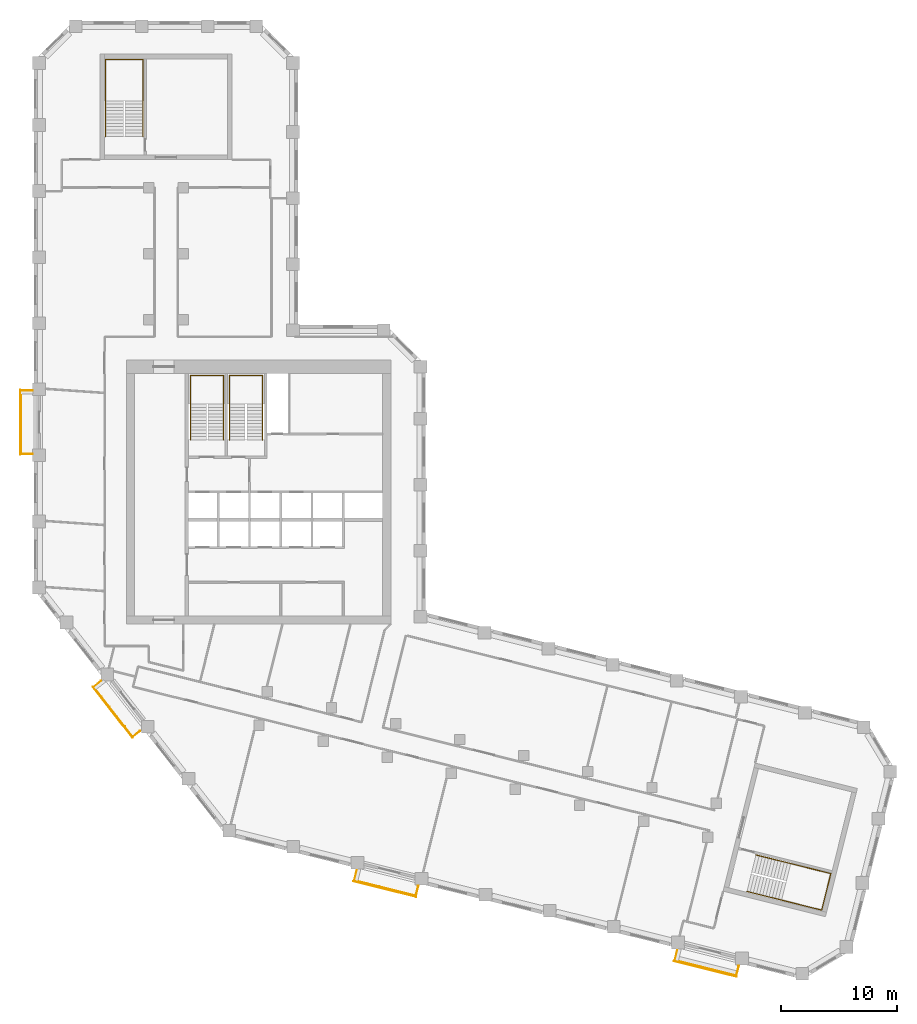
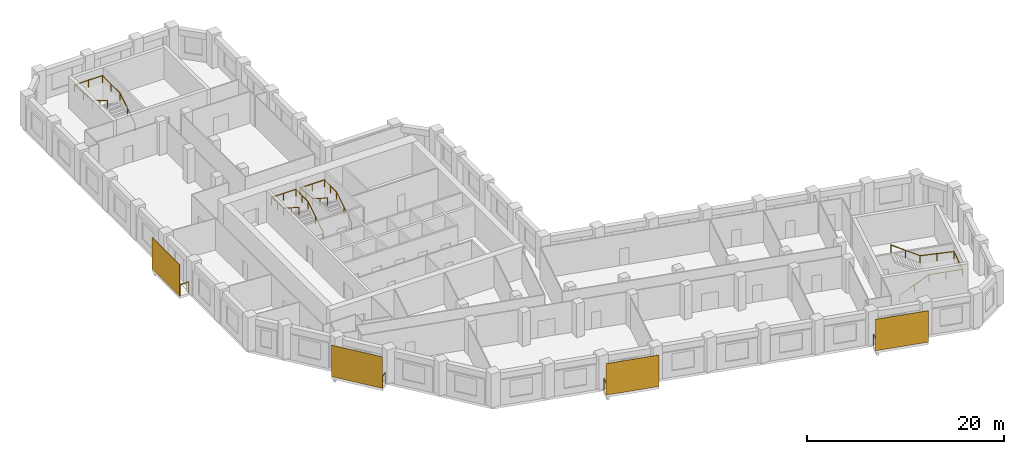
# One storey, part 10 of 10: 8 railings, 4 shading devices.
"""IFC4 building model written with IfcOpenShell, lengths in metres."""

from ifc_helpers import new_model, si_unit, direction, frame, origin, origin_2d, place, context, subcontext, project, spatial, rectangle, circle, extrude, material, layer, layer_set, type_object, element, save


model = new_model("IFC4")

# Units and contexts
model_context = context("Model", 3, precision=1e-05, world=origin(), true_north=direction((0.0, 1.0)))
body_context = subcontext(model_context, "Body", "Model", "MODEL_VIEW")
ifc_project = project(units=[si_unit("LENGTHUNIT", "METRE"), si_unit("AREAUNIT", "SQUARE_METRE"), si_unit("VOLUMEUNIT", "CUBIC_METRE"), si_unit("PLANEANGLEUNIT", "RADIAN"), si_unit("MASSUNIT", "GRAM", prefix="KILO")], contexts=[model_context])

# Site, building, storey
site_placement = place(None, origin())
site = spatial("IfcSite", under=ifc_project, at=site_placement, CompositionType="ELEMENT")
building_placement = place(site_placement, origin())
building = spatial("IfcBuilding", under=site, at=building_placement, Name="Meshkara Civic Tower", CompositionType="ELEMENT")
storey_placement = place(building_placement, frame((0.0, 0.0, 267.60009765625)))
storey = spatial("IfcBuildingStorey", under=building, at=storey_placement, Name="L61", CompositionType="ELEMENT", Elevation=267.60009765625)

# Railings
ifc_material_1 = material(Name="Steel S355", Category="steel")
railing_type_1 = type_object("IfcRailingType", Name="BALUSTRADE GUARD 1400", PredefinedType="BALUSTRADE", material=ifc_material_1)
railing_1_placement = place(storey_placement, frame((-0.10009765625, 34.235107421875, 0.0)))
element("IfcRailing", 1, at=railing_1_placement, inside=storey, type_object=railing_type_1, Name="Balcony guard", PredefinedType="BALUSTRADE", context=body_context, shape_type="SweptSolid", body=[
    extrude(circle(Radius=0.02392578125, at=origin_2d()), frame((0.0, 0.0, 1.3759765625), z_axis=(-1.0, 0.0, 0.0), x_axis=(0.0, -1.0, 0.0)), (0.0, 0.0, 1.0), 1.010009765625),
    extrude(circle(Radius=0.02392578125, at=origin_2d()), frame((-1.010009765625, 0.0, 1.3759765625), z_axis=(0.0, -1.0, 0.0), x_axis=(1.0, 0.0, 0.0)), (0.0, 0.0, 1.0), 5.460205078125),
    extrude(circle(Radius=0.02392578125, at=origin_2d()), frame((-1.010009765625, -5.460205078125, 1.3759765625), z_axis=(1.0, 0.0, 0.0), x_axis=(0.0, 1.0, 0.0)), (0.0, 0.0, 1.0), 1.010009765625),
    extrude(circle(Radius=0.02099609375, at=origin_2d()), origin(), (0.0, 0.0, 1.0), 1.351806640625),
    extrude(circle(Radius=0.02099609375, at=origin_2d()), frame((-1.010009765625, 0.0, 0.0)), (0.0, 0.0, 1.0), 1.351806640625),
    extrude(circle(Radius=0.02099609375, at=origin_2d()), frame((-1.010009765625, -1.092041015625, 0.0)), (0.0, 0.0, 1.0), 1.351806640625),
    extrude(circle(Radius=0.02099609375, at=origin_2d()), frame((-1.010009765625, -2.18408203125, 0.0)), (0.0, 0.0, 1.0), 1.351806640625),
    extrude(circle(Radius=0.02099609375, at=origin_2d()), frame((-1.010009765625, -3.276123046875, 0.0)), (0.0, 0.0, 1.0), 1.351806640625),
    extrude(circle(Radius=0.02099609375, at=origin_2d()), frame((-1.010009765625, -4.3681640625, 0.0)), (0.0, 0.0, 1.0), 1.351806640625),
    extrude(circle(Radius=0.02099609375, at=origin_2d()), frame((-1.010009765625, -5.460205078125, 0.0)), (0.0, 0.0, 1.0), 1.351806640625),
    extrude(circle(Radius=0.02099609375, at=origin_2d()), frame((0.0, -5.460205078125, 0.0)), (0.0, 0.0, 1.0), 1.351806640625),
])
railing_2_placement = place(storey_placement, frame((5.7890625, 9.1669921875, 0.0)))
element("IfcRailing", 2, at=railing_2_placement, inside=storey, type_object=railing_type_1, Name="Balcony guard", PredefinedType="BALUSTRADE", context=body_context, shape_type="SweptSolid", body=[
    extrude(circle(Radius=0.02392578125, at=origin_2d()), frame((0.0, 0.0, 1.3759765625), z_axis=(-0.788099513408, -0.615547851078, 0.0), x_axis=(0.615547851078, -0.788099513408, 0.0)), (0.0, 0.0, 1.0), 0.7880859375),
    extrude(circle(Radius=0.02392578125, at=origin_2d()), frame((-0.62109375, -0.485107421875, 1.3759765625), z_axis=(0.615684818606, -0.787992515281, 0.0), x_axis=(0.787992515281, 0.615684818606, 0.0)), (0.0, 0.0, 1.0), 5.460693359375),
    extrude(circle(Radius=0.02392578125, at=origin_2d()), frame((2.740966796875, -4.7880859375, 1.3759765625), z_axis=(0.787982092171, 0.615698158531, 0.0), x_axis=(-0.615698158531, 0.787982092171, 0.0)), (0.0, 0.0, 1.0), 0.787841796875),
    extrude(circle(Radius=0.02099609375, at=origin_2d()), origin(), (0.0, 0.0, 1.0), 1.351806640625),
    extrude(circle(Radius=0.02099609375, at=origin_2d()), frame((-0.62109375, -0.485107421875, 0.0)), (0.0, 0.0, 1.0), 1.351806640625),
    extrude(circle(Radius=0.02099609375, at=origin_2d()), frame((0.05126953125, -1.345703125, 0.0)), (0.0, 0.0, 1.0), 1.351806640625),
    extrude(circle(Radius=0.02099609375, at=origin_2d()), frame((0.7236328125, -2.206298828125, 0.0)), (0.0, 0.0, 1.0), 1.351806640625),
    extrude(circle(Radius=0.02099609375, at=origin_2d()), frame((1.396240234375, -3.06689453125, 0.0)), (0.0, 0.0, 1.0), 1.351806640625),
    extrude(circle(Radius=0.02099609375, at=origin_2d()), frame((2.068603515625, -3.927490234375, 0.0)), (0.0, 0.0, 1.0), 1.351806640625),
    extrude(circle(Radius=0.02099609375, at=origin_2d()), frame((2.740966796875, -4.7880859375, 0.0)), (0.0, 0.0, 1.0), 1.351806640625),
    extrude(circle(Radius=0.02099609375, at=origin_2d()), frame((3.36181640625, -4.302978515625, 0.0)), (0.0, 0.0, 1.0), 1.351806640625),
])
for number, where, name in (
    (3, (27.866943359375, -7.1708984375, 0.0), "Balcony guard"),
    (4, (55.52099609375, -14.06591796875, 0.0), "Balcony guard"),
):
    element("IfcRailing", number, at=place(storey_placement, frame(where)), inside=storey, type_object=railing_type_1, Name=name, PredefinedType="BALUSTRADE", context=body_context, shape_type="SweptSolid", body=[
        extrude(circle(Radius=0.02392578125, at=origin_2d()), frame((0.0, 0.0, 1.3759765625), z_axis=(-0.241764216879, -0.970335026389, 0.0), x_axis=(0.970335026389, -0.241764216879, 0.0)), (0.0, 0.0, 1.0), 0.893798828125),
        extrude(circle(Radius=0.02392578125, at=origin_2d()), frame((-0.216064453125, -0.8671875, 1.3759765625), z_axis=(0.970302726319, -0.241893818229, 0.0), x_axis=(0.241893818229, 0.970302726319, 0.0)), (0.0, 0.0, 1.0), 5.460205078125),
        extrude(circle(Radius=0.02392578125, at=origin_2d()), frame((5.08203125, -2.18798828125, 1.3759765625), z_axis=(0.241828319243, 0.97031905269, 0.0), x_axis=(-0.97031905269, 0.241828319243, 0.0)), (0.0, 0.0, 1.0), 0.8935546875),
        extrude(circle(Radius=0.02099609375, at=origin_2d()), origin(), (0.0, 0.0, 1.0), 1.351806640625),
        extrude(circle(Radius=0.02099609375, at=origin_2d()), frame((-0.216064453125, -0.8671875, 0.0)), (0.0, 0.0, 1.0), 1.351806640625),
        extrude(circle(Radius=0.02099609375, at=origin_2d()), frame((0.843505859375, -1.13134765625, 0.0)), (0.0, 0.0, 1.0), 1.351806640625),
        extrude(circle(Radius=0.02099609375, at=origin_2d()), frame((1.903076171875, -1.3955078125, 0.0)), (0.0, 0.0, 1.0), 1.351806640625),
        extrude(circle(Radius=0.02099609375, at=origin_2d()), frame((2.962890625, -1.65966796875, 0.0)), (0.0, 0.0, 1.0), 1.351806640625),
        extrude(circle(Radius=0.02099609375, at=origin_2d()), frame((4.0224609375, -1.923828125, 0.0)), (0.0, 0.0, 1.0), 1.351806640625),
        extrude(circle(Radius=0.02099609375, at=origin_2d()), frame((5.08203125, -2.18798828125, 0.0)), (0.0, 0.0, 1.0), 1.351806640625),
        extrude(circle(Radius=0.02099609375, at=origin_2d()), frame((5.298095703125, -1.321044921875, 0.0)), (0.0, 0.0, 1.0), 1.351806640625),
    ])

# Shading devices
ifc_material_2 = material(Name="Perforated bronze anodised aluminium sheet", Category="aluminium")
ifc_layer = layer(ifc_material_2, 0.0400390625)
ifc_layer_set = layer_set([ifc_layer], Name="PERFORATED BRONZE SCREEN")
shading_device_type = type_object("IfcShadingDeviceType", Name="PERFORATED BRONZE SCREEN", PredefinedType="USERDEFINED", material=ifc_layer_set)
shading_device_1_placement = place(storey_placement, frame((-1.179931640625, 31.5048828125, 0.0), z_axis=(0.0, 0.0, 1.0), x_axis=(0.0, -1.0, 0.0)))
element("IfcShadingDevice", 5, at=shading_device_1_placement, inside=storey, type_object=shading_device_type, Name="Balcony screen", ObjectType="SCREEN", PredefinedType="USERDEFINED", context=body_context, shape_type="SweptSolid", body=[
    extrude(rectangle(XDim=5.580078125, YDim=0.0400390625, at=origin_2d()), origin(), (0.0, 0.0, 1.0), 3.89990234375),
])
shading_device_2_placement = place(storey_placement, frame((6.7939453125, 6.488037109375, 0.0), z_axis=(0.0, 0.0, 1.0), x_axis=(0.615661475326, -0.788010753607, 0.0)))
element("IfcShadingDevice", 6, at=shading_device_2_placement, inside=storey, type_object=shading_device_type, Name="Balcony screen", ObjectType="SCREEN", PredefinedType="USERDEFINED", context=body_context, shape_type="SweptSolid", body=[
    extrude(rectangle(XDim=5.5810546875, YDim=0.0400390625, at=origin_2d()), origin(), (0.0, 0.0, 1.0), 3.89990234375),
])
for number, where, z_axis, x_axis, name in (
    (7, (30.282958984375, -8.76708984375, 0.0), (0.0, 0.0, 1.0), (0.970299948462, -0.241904960708, 0.0), "Balcony screen"),
    (8, (57.93701171875, -15.660888671875, 0.0), (0.0, 0.0, 1.0), (0.970299948462, -0.241904960708, 0.0), "Balcony screen"),
):
    element("IfcShadingDevice", number, at=place(storey_placement, frame(where, z_axis=z_axis, x_axis=x_axis)), inside=storey, type_object=shading_device_type, Name=name, ObjectType="SCREEN", PredefinedType="USERDEFINED", context=body_context, shape_type="SweptSolid", body=[
        extrude(rectangle(XDim=5.580078125, YDim=0.0400390625, at=origin_2d()), origin(), (0.0, 0.0, 1.0), 3.89990234375),
    ])

# Railings
ifc_material_3 = material(Name="Steel handrail", Category="steel")
railing_type_2 = type_object("IfcRailingType", Name="Stair handrail 900", PredefinedType="HANDRAIL", material=ifc_material_3)
railing_3_placement = place(storey_placement, frame((16.375, 30.0, 0.1748046875)))
element("IfcRailing", 9, at=railing_3_placement, inside=storey, type_object=railing_type_2, Name="L61 ST1 stair handrail 1", PredefinedType="HANDRAIL", context=body_context, shape_type="SweptSolid", body=[
    extrude(circle(Radius=0.02392578125, at=origin_2d()), frame((0.0, 0.0, 0.8759765625), z_axis=(0.0, 0.847998304005, 0.529998940003), x_axis=(-1.0, 0.0, 0.0)), (0.0, 0.0, 1.0), 3.632080078125),
    extrude(circle(Radius=0.02392578125, at=origin_2d()), frame((0.0, 3.080078125, 2.80078125), z_axis=(0.0, 1.0, 0.0), x_axis=(-1.0, 0.0, 0.0)), (0.0, 0.0, 1.0), 2.469970703125),
    extrude(circle(Radius=0.02392578125, at=origin_2d()), frame((0.0, 5.550048828125, 2.80078125), z_axis=(-1.0, 0.0, 0.0), x_axis=(0.0, -1.0, 0.0)), (0.0, 0.0, 1.0), 2.85009765625),
    extrude(circle(Radius=0.02392578125, at=origin_2d()), frame((-2.85009765625, 5.550048828125, 2.80078125), z_axis=(0.0, -0.997498084828, 0.070693498747), x_axis=(1.0, 0.0, 0.0)), (0.0, 0.0, 1.0), 2.47607421875),
    extrude(circle(Radius=0.02392578125, at=origin_2d()), frame((-2.85009765625, 3.080078125, 2.97607421875), z_axis=(0.0, -0.847998304005, 0.529998940003), x_axis=(1.0, 0.0, 0.0)), (0.0, 0.0, 1.0), 3.632080078125),
    extrude(circle(Radius=0.02099609375, at=origin_2d()), origin(), (0.0, 0.0, 1.0), 0.851806640625),
    extrude(circle(Radius=0.02099609375, at=origin_2d()), frame((0.0, 1.5400390625, 0.96240234375)), (0.0, 0.0, 1.0), 0.851806640625),
    extrude(circle(Radius=0.02099609375, at=origin_2d()), frame((0.0, 3.080078125, 1.925048828125)), (0.0, 0.0, 1.0), 0.851806640625),
    extrude(circle(Radius=0.02099609375, at=origin_2d()), frame((0.0, 4.31494140625, 1.925048828125)), (0.0, 0.0, 1.0), 0.851806640625),
    extrude(circle(Radius=0.02099609375, at=origin_2d()), frame((0.0, 5.550048828125, 1.925048828125)), (0.0, 0.0, 1.0), 0.851806640625),
    extrude(circle(Radius=0.02099609375, at=origin_2d()), frame((-1.425048828125, 5.550048828125, 1.925048828125)), (0.0, 0.0, 1.0), 0.851806640625),
    extrude(circle(Radius=0.02099609375, at=origin_2d()), frame((-2.85009765625, 5.550048828125, 1.925048828125)), (0.0, 0.0, 1.0), 0.851806640625),
    extrude(circle(Radius=0.02099609375, at=origin_2d()), frame((-2.85009765625, 4.31494140625, 2.0126953125)), (0.0, 0.0, 1.0), 0.851806640625),
    extrude(circle(Radius=0.02099609375, at=origin_2d()), frame((-2.85009765625, 3.080078125, 2.10009765625)), (0.0, 0.0, 1.0), 0.851806640625),
    extrude(circle(Radius=0.02099609375, at=origin_2d()), frame((-2.85009765625, 1.5400390625, 3.0625)), (0.0, 0.0, 1.0), 0.851806640625),
    extrude(circle(Radius=0.02099609375, at=origin_2d()), frame((-2.85009765625, 0.0, 4.025146484375)), (0.0, 0.0, 1.0), 0.851806640625),
])
railing_4_placement = place(storey_placement, frame((19.72509765625, 30.0, 0.1748046875)))
element("IfcRailing", 10, at=railing_4_placement, inside=storey, type_object=railing_type_2, Name="L61 ST2 stair handrail 1", PredefinedType="HANDRAIL", context=body_context, shape_type="SweptSolid", body=[
    extrude(circle(Radius=0.02392578125, at=origin_2d()), frame((0.0, 0.0, 0.8759765625), z_axis=(0.0, 0.847998304005, 0.529998940003), x_axis=(-1.0, 0.0, 0.0)), (0.0, 0.0, 1.0), 3.632080078125),
    extrude(circle(Radius=0.02392578125, at=origin_2d()), frame((0.0, 3.080078125, 2.80078125), z_axis=(0.0, 1.0, 0.0), x_axis=(-1.0, 0.0, 0.0)), (0.0, 0.0, 1.0), 2.469970703125),
    extrude(circle(Radius=0.02392578125, at=origin_2d()), frame((0.0, 5.550048828125, 2.80078125), z_axis=(-1.0, 0.0, 0.0), x_axis=(0.0, -1.0, 0.0)), (0.0, 0.0, 1.0), 2.85009765625),
    extrude(circle(Radius=0.02392578125, at=origin_2d()), frame((-2.85009765625, 5.550048828125, 2.80078125), z_axis=(0.0, -0.997498084828, 0.070693498747), x_axis=(1.0, 0.0, 0.0)), (0.0, 0.0, 1.0), 2.47607421875),
    extrude(circle(Radius=0.02392578125, at=origin_2d()), frame((-2.85009765625, 3.080078125, 2.97607421875), z_axis=(0.0, -0.847998304005, 0.529998940003), x_axis=(1.0, 0.0, 0.0)), (0.0, 0.0, 1.0), 3.632080078125),
    extrude(circle(Radius=0.02099609375, at=origin_2d()), origin(), (0.0, 0.0, 1.0), 0.851806640625),
    extrude(circle(Radius=0.02099609375, at=origin_2d()), frame((0.0, 1.5400390625, 0.96240234375)), (0.0, 0.0, 1.0), 0.851806640625),
    extrude(circle(Radius=0.02099609375, at=origin_2d()), frame((0.0, 3.080078125, 1.925048828125)), (0.0, 0.0, 1.0), 0.851806640625),
    extrude(circle(Radius=0.02099609375, at=origin_2d()), frame((0.0, 4.31494140625, 1.925048828125)), (0.0, 0.0, 1.0), 0.851806640625),
    extrude(circle(Radius=0.02099609375, at=origin_2d()), frame((0.0, 5.550048828125, 1.925048828125)), (0.0, 0.0, 1.0), 0.851806640625),
    extrude(circle(Radius=0.02099609375, at=origin_2d()), frame((-1.425048828125, 5.550048828125, 1.925048828125)), (0.0, 0.0, 1.0), 0.851806640625),
    extrude(circle(Radius=0.02099609375, at=origin_2d()), frame((-2.85009765625, 5.550048828125, 1.925048828125)), (0.0, 0.0, 1.0), 0.851806640625),
    extrude(circle(Radius=0.02099609375, at=origin_2d()), frame((-2.85009765625, 4.31494140625, 2.0126953125)), (0.0, 0.0, 1.0), 0.851806640625),
    extrude(circle(Radius=0.02099609375, at=origin_2d()), frame((-2.85009765625, 3.080078125, 2.10009765625)), (0.0, 0.0, 1.0), 0.851806640625),
    extrude(circle(Radius=0.02099609375, at=origin_2d()), frame((-2.85009765625, 1.5400390625, 3.0625)), (0.0, 0.0, 1.0), 0.851806640625),
    extrude(circle(Radius=0.02099609375, at=origin_2d()), frame((-2.85009765625, 0.0, 4.025146484375)), (0.0, 0.0, 1.0), 0.851806640625),
])
railing_5_placement = place(storey_placement, frame((9.425048828125, 56.169921875, 0.1748046875)))
element("IfcRailing", 11, at=railing_5_placement, inside=storey, type_object=railing_type_2, Name="L61 ESA4 stair handrail 1", PredefinedType="HANDRAIL", context=body_context, shape_type="SweptSolid", body=[
    extrude(circle(Radius=0.02392578125, at=origin_2d()), frame((0.0, 0.0, 0.8759765625), z_axis=(0.0, 0.847998304005, 0.529998940003), x_axis=(-1.0, 0.0, 0.0)), (0.0, 0.0, 1.0), 3.632080078125),
    extrude(circle(Radius=0.02392578125, at=origin_2d()), frame((0.0, 3.080078125, 2.80078125), z_axis=(0.0, 1.0, 0.0), x_axis=(-1.0, 0.0, 0.0)), (0.0, 0.0, 1.0), 3.570068359375),
    extrude(circle(Radius=0.02392578125, at=origin_2d()), frame((0.0, 6.650146484375, 2.80078125), z_axis=(-1.0, 0.0, 0.0), x_axis=(0.0, -1.0, 0.0)), (0.0, 0.0, 1.0), 3.25),
    extrude(circle(Radius=0.02392578125, at=origin_2d()), frame((-3.25, 6.650146484375, 2.80078125), z_axis=(0.0, -0.998800077689, 0.048973511297), x_axis=(1.0, 0.0, 0.0)), (0.0, 0.0, 1.0), 3.574462890625),
    extrude(circle(Radius=0.02392578125, at=origin_2d()), frame((-3.25, 3.080078125, 2.97607421875), z_axis=(0.0, -0.847998304005, 0.529998940003), x_axis=(1.0, 0.0, 0.0)), (0.0, 0.0, 1.0), 3.632080078125),
    extrude(circle(Radius=0.02099609375, at=origin_2d()), origin(), (0.0, 0.0, 1.0), 0.851806640625),
    extrude(circle(Radius=0.02099609375, at=origin_2d()), frame((0.0, 1.5400390625, 0.96240234375)), (0.0, 0.0, 1.0), 0.851806640625),
    extrude(circle(Radius=0.02099609375, at=origin_2d()), frame((0.0, 3.080078125, 1.925048828125)), (0.0, 0.0, 1.0), 0.851806640625),
    extrude(circle(Radius=0.02099609375, at=origin_2d()), frame((0.0, 4.865234375, 1.925048828125)), (0.0, 0.0, 1.0), 0.851806640625),
    extrude(circle(Radius=0.02099609375, at=origin_2d()), frame((0.0, 6.650146484375, 1.925048828125)), (0.0, 0.0, 1.0), 0.851806640625),
    extrude(circle(Radius=0.02099609375, at=origin_2d()), frame((-1.625, 6.650146484375, 1.925048828125)), (0.0, 0.0, 1.0), 0.851806640625),
    extrude(circle(Radius=0.02099609375, at=origin_2d()), frame((-3.25, 6.650146484375, 1.925048828125)), (0.0, 0.0, 1.0), 0.851806640625),
    extrude(circle(Radius=0.02099609375, at=origin_2d()), frame((-3.25, 4.865234375, 2.0126953125)), (0.0, 0.0, 1.0), 0.851806640625),
    extrude(circle(Radius=0.02099609375, at=origin_2d()), frame((-3.25, 3.080078125, 2.10009765625)), (0.0, 0.0, 1.0), 0.851806640625),
    extrude(circle(Radius=0.02099609375, at=origin_2d()), frame((-3.25, 1.5400390625, 3.0625)), (0.0, 0.0, 1.0), 0.851806640625),
    extrude(circle(Radius=0.02099609375, at=origin_2d()), frame((-3.25, 0.0, 4.025146484375)), (0.0, 0.0, 1.0), 0.851806640625),
])
railing_6_placement = place(storey_placement, frame((61.526123046875, -8.97607421875, 0.1748046875)))
element("IfcRailing", 12, at=railing_6_placement, inside=storey, type_object=railing_type_2, Name="L61 ESB4 stair handrail 1", PredefinedType="HANDRAIL", context=body_context, shape_type="SweptSolid", body=[
    extrude(circle(Radius=0.02392578125, at=origin_2d()), frame((0.0, 0.0, 0.8759765625), z_axis=(0.822771605551, -0.205222362071, 0.530028930537), x_axis=(0.242013336109, 0.97027292302, 0.0)), (0.0, 0.0, 1.0), 3.632080078125),
    extrude(circle(Radius=0.02392578125, at=origin_2d()), frame((2.98828125, -0.745361328125, 2.80078125), z_axis=(0.97025503065, -0.242085058395, 0.0), x_axis=(0.242085058395, 0.97025503065, 0.0)), (0.0, 0.0, 1.0), 3.570068359375),
    extrude(circle(Radius=0.02392578125, at=origin_2d()), frame((6.4521484375, -1.609619140625, 2.80078125), z_axis=(0.242040676986, 0.970266103027, 0.0), x_axis=(-0.970266103027, 0.242040676986, 0.0)), (0.0, 0.0, 1.0), 3.25),
    extrude(circle(Radius=0.02392578125, at=origin_2d()), frame((7.23876953125, 1.543701171875, 2.80078125), z_axis=(-0.969086635977, 0.241810579499, 0.04897688856), x_axis=(-0.24210112213, -0.970251022501, 0.0)), (0.0, 0.0, 1.0), 3.57421875),
    extrude(circle(Radius=0.02392578125, at=origin_2d()), frame((3.775146484375, 2.407958984375, 2.97607421875), z_axis=(-0.822793318929, 0.205211012392, 0.529999617659), x_axis=(-0.24199472324, -0.970277565403, 0.0)), (0.0, 0.0, 1.0), 3.632080078125),
    extrude(circle(Radius=0.02099609375, at=origin_2d()), origin(), (0.0, 0.0, 1.0), 0.851806640625),
    extrude(circle(Radius=0.02099609375, at=origin_2d()), frame((1.494140625, -0.37255859375, 0.96240234375)), (0.0, 0.0, 1.0), 0.851806640625),
    extrude(circle(Radius=0.02099609375, at=origin_2d()), frame((2.98828125, -0.745361328125, 1.925048828125)), (0.0, 0.0, 1.0), 0.851806640625),
    extrude(circle(Radius=0.02099609375, at=origin_2d()), frame((4.72021484375, -1.177490234375, 1.925048828125)), (0.0, 0.0, 1.0), 0.851806640625),
    extrude(circle(Radius=0.02099609375, at=origin_2d()), frame((6.4521484375, -1.609619140625, 1.925048828125)), (0.0, 0.0, 1.0), 0.851806640625),
    extrude(circle(Radius=0.02099609375, at=origin_2d()), frame((6.845458984375, -0.032958984375, 1.925048828125)), (0.0, 0.0, 1.0), 0.851806640625),
    extrude(circle(Radius=0.02099609375, at=origin_2d()), frame((7.23876953125, 1.543701171875, 1.925048828125)), (0.0, 0.0, 1.0), 0.851806640625),
    extrude(circle(Radius=0.02099609375, at=origin_2d()), frame((5.5068359375, 1.975830078125, 2.0126953125)), (0.0, 0.0, 1.0), 0.851806640625),
    extrude(circle(Radius=0.02099609375, at=origin_2d()), frame((3.775146484375, 2.407958984375, 2.10009765625)), (0.0, 0.0, 1.0), 0.851806640625),
    extrude(circle(Radius=0.02099609375, at=origin_2d()), frame((2.28076171875, 2.78076171875, 3.0625)), (0.0, 0.0, 1.0), 0.851806640625),
    extrude(circle(Radius=0.02099609375, at=origin_2d()), frame((0.78662109375, 3.1533203125, 4.025146484375)), (0.0, 0.0, 1.0), 0.851806640625),
])

save(model, "model.ifc")
